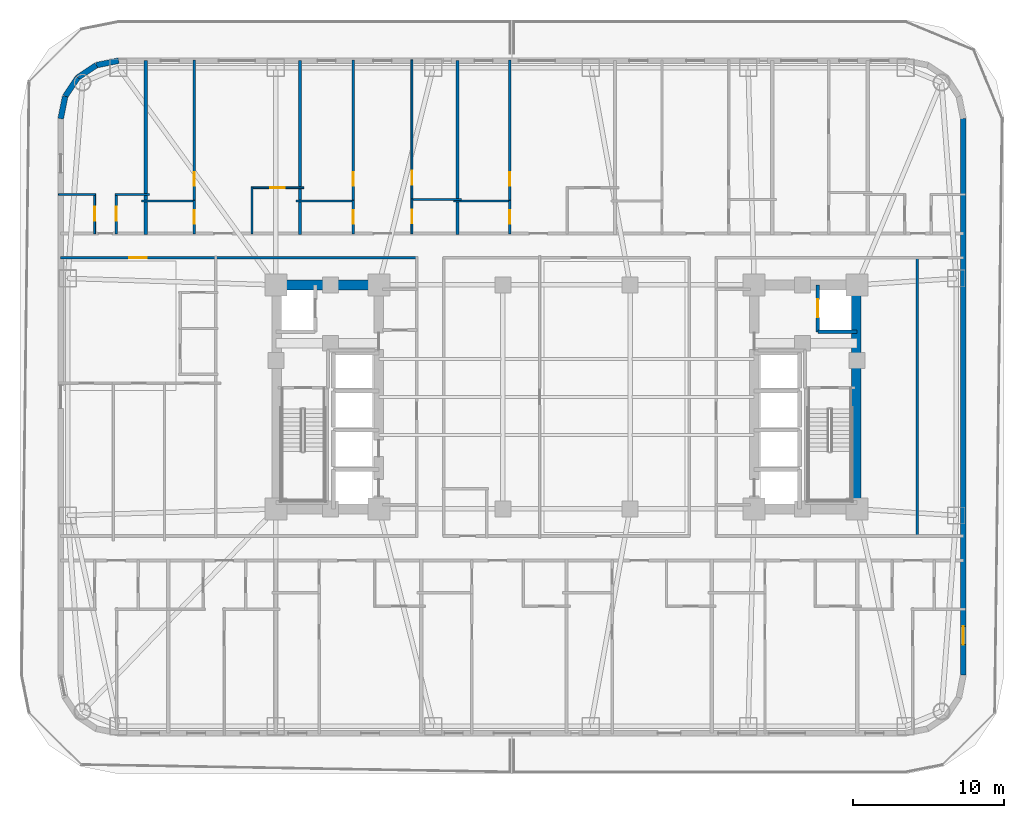
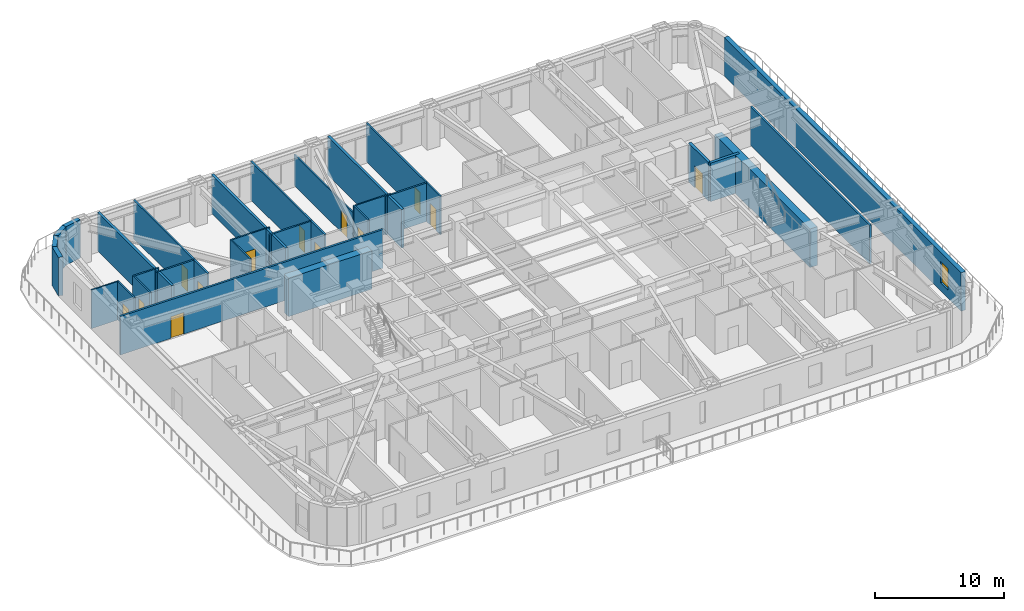
# One storey, part 7 of 14: 32 walls, 13 doors, 1 window, 14 openings.
"""IFC4 building model written with IfcOpenShell, lengths in metres."""

from ifc_helpers import new_model, si_unit, direction, frame, frame_2d, origin, place, context, subcontext, project, spatial, rectangle, extrude, material, layer, layer_set, type_object, element, fill, save


model = new_model("IFC4")

# Units and contexts
model_context = context("Model", 3, precision=1e-05, world=origin(), true_north=direction((0.0, 1.0)))
body_context = subcontext(model_context, "Body", "Model", "MODEL_VIEW")
ifc_project = project(units=[si_unit("LENGTHUNIT", "METRE"), si_unit("AREAUNIT", "SQUARE_METRE"), si_unit("VOLUMEUNIT", "CUBIC_METRE"), si_unit("PLANEANGLEUNIT", "RADIAN"), si_unit("MASSUNIT", "GRAM", prefix="KILO")], contexts=[model_context])

# Site, building, storey
site_placement = place(None, origin())
site = spatial("IfcSite", under=ifc_project, at=site_placement, CompositionType="ELEMENT")
building_placement = place(site_placement, origin())
building = spatial("IfcBuilding", under=site, at=building_placement, Name="Voryun Gate Residences", CompositionType="ELEMENT")
storey_placement = place(building_placement, frame((0.0, 0.0, 53.300048828125)))
storey = spatial("IfcBuildingStorey", under=building, at=storey_placement, Name="L12", CompositionType="ELEMENT", Elevation=53.300048828125)

# Walls
ifc_material_1 = material(Name="Concrete C60/75", Category="concrete")
ifc_layer_1 = layer(ifc_material_1, 0.64990234375, Name="CW_CORE_650")
ifc_layer_set_1 = layer_set([ifc_layer_1], Name="Concrete C60/75")
wall_type_1 = type_object("IfcWallType", Name="CW_CORE_650", PredefinedType="SHEAR", material=ifc_layer_set_1)
wall_1_placement = place(storey_placement, frame((-19.52490234375, 7.39990234375, 0.0), z_axis=(0.0, 0.0, 1.0), x_axis=(1.0, 0.0, 0.0)))
element("IfcWall", 1, at=wall_1_placement, inside=storey, type_object=wall_type_1, Name="L12 Core shear wall CW-L12-WN", PredefinedType="SHEAR", context=body_context, shape_type="SweptSolid", body=[
    extrude(rectangle(XDim=7.449951171875, YDim=0.64990234375, at=frame_2d((3.72509765625, 0.0))), origin(), (0.0, 0.0, 1.0), 3.64990234375),
])
wall_2_placement = place(storey_placement, frame((19.14501953125, -7.39990234375, 0.0), z_axis=(0.0, 0.0, 1.0), x_axis=(0.0, 1.0, 0.0)))
element("IfcWall", 2, at=wall_2_placement, inside=storey, type_object=wall_type_1, Name="L12 Core shear wall CW-L12-EE", PredefinedType="SHEAR", context=body_context, shape_type="SweptSolid", body=[
    extrude(rectangle(XDim=14.7998046875, YDim=0.64990234375, at=frame_2d((7.39990234375, 0.0))), origin(), (0.0, 0.0, 1.0), 3.64990234375),
])

# Wall, opening, door
ifc_material_2 = material(Name="Gypsum acoustic fireboard")
ifc_layer_2 = layer(ifc_material_2, 0.179931640625, Name="W_CORR_RATED_180")
ifc_layer_set_2 = layer_set([ifc_layer_2], Name="Gypsum acoustic fireboard")
wall_type_2 = type_object("IfcWallType", Name="W_CORR_RATED_180", PredefinedType="PARTITIONING", material=ifc_layer_set_2)
wall_3_placement = place(storey_placement, frame((-33.409912109375, 9.18994140625, 0.0), z_axis=(0.0, 0.0, 1.0), x_axis=(1.0, 0.0, 0.0)))
wall_3 = element("IfcWall", 3, at=wall_3_placement, inside=storey, type_object=wall_type_2, Name="Partition wall WP-L12-CWING-WN", PredefinedType="PARTITIONING", context=body_context, shape_type="SweptSolid", body=[
    extrude(rectangle(XDim=23.530029296875, YDim=0.179931640625, at=frame_2d((11.76513671875, 0.0))), origin(), (0.0, 0.0, 1.0), 3.64990234375),
])
opening_1_placement = place(wall_3_placement, frame((4.540283203125, 0.0, 0.0)))
opening_1 = element("IfcOpeningElement", 4, at=opening_1_placement, cuts=wall_3, Name="Opening D-UNIT-1", PredefinedType="OPENING", context=body_context, shape_type="SweptSolid", body=[
    extrude(rectangle(XDim=1.14990234375, YDim=2.050048828125, at=frame_2d((0.574951171875, 1.02490234375))), frame((0.0, 0.099853515625, 0.0), z_axis=(0.0, -1.0, 0.0), x_axis=(1.0, 0.0, 0.0)), (0.0, 0.0, 1.0), 0.199951171875),
])
ifc_material_3 = material(Name="Armoured timber-clad fire door", Category="wood")
door_type_1 = type_object("IfcDoorType", Name="DR_UNIT_ENTRY_1150", OperationType="NOTDEFINED", PredefinedType="DOOR", material=ifc_material_3)
door_1_placement = place(opening_1_placement, origin())
door_1 = element("IfcDoor", 5, at=door_1_placement, inside=storey, type_object=door_type_1, Name="Door DR-L12-WE1N", OperationType="SINGLE_SWING_LEFT", OverallHeight=2.050048828125, OverallWidth=1.14990234375, PredefinedType="DOOR", context=body_context, shape_type="SweptSolid", body=[
    extrude(rectangle(XDim=1.14990234375, YDim=2.050048828125, at=frame_2d((0.574951171875, 1.02490234375))), frame((0.0, 0.02490234375, 0.0), z_axis=(0.0, -1.0, 0.0), x_axis=(1.0, 0.0, 0.0)), (0.0, 0.0, 1.0), 0.050048828125),
])
fill(opening_1, door_1)

# Walls
wall_4_placement = place(storey_placement, frame((23.169921875, -9.280029296875, 0.0), z_axis=(0.0, 0.0, 1.0), x_axis=(0.0, 1.0, 0.0)))
element("IfcWall", 6, at=wall_4_placement, inside=storey, type_object=wall_type_2, Name="Partition wall WP-L12-EEND", PredefinedType="PARTITIONING", context=body_context, shape_type="SweptSolid", body=[
    extrude(rectangle(XDim=18.56005859375, YDim=0.179931640625, at=frame_2d((9.280029296875, 0.0))), origin(), (0.0, 0.0, 1.0), 3.64990234375),
])
ifc_material_4 = material(Name="Granite masonry", Category="masonry")
ifc_layer_3 = layer(ifc_material_4, 0.3798828125, Name="W_EXT_GRANITE_380")
ifc_layer_set_3 = layer_set([ifc_layer_3], Name="Granite masonry")
wall_type_3 = type_object("IfcWallType", Name="W_EXT_GRANITE_380", PredefinedType="ELEMENTEDWALL", material=ifc_layer_set_3)
wall_5_placement = place(storey_placement, frame((-33.409912109375, 18.38134765625, 0.0), z_axis=(0.0, 0.0, 1.0), x_axis=(0.195086038585, 0.980786132421, 0.0)))
element("IfcWall", 7, at=wall_5_placement, inside=storey, type_object=wall_type_3, Name="Exterior wall WEXT-L12-07", PredefinedType="ELEMENTEDWALL", context=body_context, shape_type="SweptSolid", body=[
    extrude(rectangle(XDim=1.504150390625, YDim=0.3798828125, at=frame_2d((0.751953125, 0.0))), origin(), (0.0, 0.0, 1.0), 3.64990234375),
])
wall_6_placement = place(storey_placement, frame((-33.116455078125, 19.856689453125, 0.0), z_axis=(0.0, 0.0, 1.0), x_axis=(0.555572577804, 0.831468045563, 0.0)))
element("IfcWall", 8, at=wall_6_placement, inside=storey, type_object=wall_type_3, Name="Exterior wall WEXT-L12-08", PredefinedType="ELEMENTEDWALL", context=body_context, shape_type="SweptSolid", body=[
    extrude(rectangle(XDim=1.48486328125, YDim=0.3798828125, at=frame_2d((0.742431640625, 0.0))), origin(), (0.0, 0.0, 1.0), 3.64990234375),
])
wall_7_placement = place(storey_placement, frame((-32.29150390625, 21.09130859375, 0.0), z_axis=(0.0, 0.0, 1.0), x_axis=(0.831442848281, 0.555610286119, 0.0)))
element("IfcWall", 9, at=wall_7_placement, inside=storey, type_object=wall_type_3, Name="Exterior wall WEXT-L12-09", PredefinedType="ELEMENTEDWALL", context=body_context, shape_type="SweptSolid", body=[
    extrude(rectangle(XDim=1.485107421875, YDim=0.3798828125, at=frame_2d((0.74267578125, 0.0))), origin(), (0.0, 0.0, 1.0), 3.64990234375),
])
wall_8_placement = place(storey_placement, frame((-31.056640625, 21.91650390625, 0.0), z_axis=(0.0, 0.0, 1.0), x_axis=(0.980786132421, 0.195086038585, 0.0)))
element("IfcWall", 10, at=wall_8_placement, inside=storey, type_object=wall_type_3, Name="Exterior wall WEXT-L12-10", PredefinedType="ELEMENTEDWALL", context=body_context, shape_type="SweptSolid", body=[
    extrude(rectangle(XDim=1.504150390625, YDim=0.3798828125, at=frame_2d((0.751953125, 0.0))), origin(), (0.0, 0.0, 1.0), 3.64990234375),
])

# Wall, opening, window
wall_9_placement = place(storey_placement, frame((26.2099609375, 18.38134765625, 0.0), z_axis=(0.0, 0.0, 1.0), x_axis=(0.0, -1.0, 0.0)))
wall_9 = element("IfcWall", 11, at=wall_9_placement, inside=storey, type_object=wall_type_3, Name="Exterior wall WEXT-L12-16", PredefinedType="ELEMENTEDWALL", context=body_context, shape_type="SweptSolid", body=[
    extrude(rectangle(XDim=36.7626953125, YDim=0.3798828125, at=frame_2d((18.38134765625, 0.0))), origin(), (0.0, 0.0, 1.0), 3.64990234375),
])
opening_2_placement = place(wall_9_placement, frame((33.536865234375, 0.0, 0.75)))
opening_2 = element("IfcOpeningElement", 12, at=opening_2_placement, cuts=wall_9, Name="Opening WN6", PredefinedType="OPENING", context=body_context, shape_type="SweptSolid", body=[
    extrude(rectangle(XDim=1.199951171875, YDim=2.050048828125, at=frame_2d((0.60009765625, 1.02490234375))), frame((0.0, 0.199951171875, 0.0), z_axis=(0.0, -1.0, 0.0), x_axis=(1.0, 0.0, 0.0)), (0.0, 0.0, 1.0), 0.39990234375),
])
ifc_material_5 = material(Name="Laminated low-E glass", Category="glass")
window_type = type_object("IfcWindowType", Name="WN_POD_SLOT_1200", PartitioningType="SINGLE_PANEL", PredefinedType="WINDOW", material=ifc_material_5)
window_placement = place(opening_2_placement, origin())
window = element("IfcWindow", 13, at=window_placement, inside=storey, type_object=window_type, Name="Window WN-L12-DWFIX-22", OverallHeight=2.050048828125, OverallWidth=1.199951171875, PartitioningType="SINGLE_PANEL", PredefinedType="WINDOW", context=body_context, shape_type="SweptSolid", body=[
    extrude(rectangle(XDim=1.199951171875, YDim=2.050048828125, at=frame_2d((0.60009765625, 1.02490234375))), frame((0.0, 0.030029296875, 0.0), z_axis=(0.0, -1.0, 0.0), x_axis=(1.0, 0.0, 0.0)), (0.0, 0.0, 1.0), 0.06005859375),
])
fill(opening_2, window)

# Walls
ifc_material_6 = material(Name="Concrete C40/50", Category="concrete")
ifc_layer_4 = layer(ifc_material_6, 0.219970703125, Name="W_PARTY_ACOUSTIC_220")
ifc_layer_set_4 = layer_set([ifc_layer_4], Name="Concrete C40/50")
wall_type_4 = type_object("IfcWallType", Name="W_PARTY_ACOUSTIC_220", PredefinedType="PARTITIONING", material=ifc_layer_set_4)
for number, where, z_axis, x_axis, name in (
    (14, (-27.800048828125, 10.719970703125, 0.0), (0.0, 0.0, 1.0), (0.0, 1.0, 0.0), "Partition wall WP-L12-NPTY-1"),
    (15, (-17.60009765625, 10.719970703125, 0.0), (0.0, 0.0, 1.0), (0.0, 1.0, 0.0), "Partition wall WP-L12-NPTY-2"),
    (16, (-7.199951171875, 10.719970703125, 0.0), (0.0, 0.0, 1.0), (0.0, 1.0, 0.0), "Partition wall WP-L12-NPTY-3"),
):
    element("IfcWall", number, at=place(storey_placement, frame(where, z_axis=z_axis, x_axis=x_axis)), inside=storey, type_object=wall_type_4, Name=name, PredefinedType="PARTITIONING", context=body_context, shape_type="SweptSolid", body=[
        extrude(rectangle(XDim=11.489990234375, YDim=0.219970703125, at=frame_2d((5.7451171875, 0.0))), origin(), (0.0, 0.0, 1.0), 3.64990234375),
    ])
ifc_material_7 = material(Name="Concrete C50/60", Category="concrete")
ifc_layer_5 = layer(ifc_material_7, 0.25, Name="W_SHAFT_RC250")
ifc_layer_set_5 = layer_set([ifc_layer_5], Name="Concrete C50/60")
wall_type_5 = type_object("IfcWallType", Name="W_SHAFT_RC250", PredefinedType="SOLIDWALL", material=ifc_layer_set_5)
wall_10_placement = place(storey_placement, frame((16.60009765625, 4.300048828125, 0.0), z_axis=(0.0, 0.0, 1.0), x_axis=(1.0, 0.0, 0.0)))
element("IfcWall", 17, at=wall_10_placement, inside=storey, type_object=wall_type_5, Name="Lift shaft wall WSH-L12-EL-FF-E1-S", PredefinedType="SOLIDWALL", context=body_context, shape_type="SweptSolid", body=[
    extrude(rectangle(XDim=2.599853515625, YDim=0.25, at=frame_2d((1.2998046875, 0.0))), origin(), (0.0, 0.0, 1.0), 3.64990234375),
])

# Wall, opening, door
wall_11_placement = place(storey_placement, frame((16.60009765625, 7.39990234375, 0.0), z_axis=(0.0, 0.0, 1.0), x_axis=(0.0, -1.0, 0.0)))
wall_11 = element("IfcWall", 18, at=wall_11_placement, inside=storey, type_object=wall_type_5, Name="Lift shaft wall WSH-L12-EL-FF-E1-W", PredefinedType="SOLIDWALL", context=body_context, shape_type="SweptSolid", body=[
    extrude(rectangle(XDim=3.099853515625, YDim=0.25, at=frame_2d((1.5498046875, 0.0))), origin(), (0.0, 0.0, 1.0), 3.64990234375),
])
opening_3_placement = place(wall_11_placement, frame((0.949951171875, 0.0, 0.0)))
opening_3 = element("IfcOpeningElement", 19, at=opening_3_placement, cuts=wall_11, Name="Opening LD1", PredefinedType="OPENING", context=body_context, shape_type="SweptSolid", body=[
    extrude(rectangle(XDim=1.199951171875, YDim=2.050048828125, at=frame_2d((0.60009765625, 1.02490234375))), frame((0.0, 0.135009765625, 0.0), z_axis=(0.0, -1.0, 0.0), x_axis=(1.0, 0.0, 0.0)), (0.0, 0.0, 1.0), 0.27001953125),
])
ifc_material_8 = material(Name="Anodised aluminium", Category="aluminium")
door_type_2 = type_object("IfcDoorType", Name="DR_LD_FF_1200", OperationType="NOTDEFINED", PredefinedType="DOOR", material=ifc_material_8)
door_2_placement = place(opening_3_placement, origin())
door_2 = element("IfcDoor", 20, at=door_2_placement, inside=storey, type_object=door_type_2, Name="Lift EL-FF-E1 sliding landing door L12", OperationType="SLIDING_TO_LEFT", OverallHeight=2.050048828125, OverallWidth=1.199951171875, PredefinedType="DOOR", context=body_context, shape_type="SweptSolid", body=[
    extrude(rectangle(XDim=1.199951171875, YDim=2.050048828125, at=frame_2d((0.60009765625, 1.02490234375))), frame((0.0, 0.02490234375, 0.0), z_axis=(0.0, -1.0, 0.0), x_axis=(1.0, 0.0, 0.0)), (0.0, 0.0, 1.0), 0.050048828125),
])
fill(opening_3, door_2)

ifc_material_9 = material(Name="Gypsum acoustic partition")
ifc_layer_6 = layer(ifc_material_9, 0.125, Name="W_UNIT_PART_125")
ifc_layer_set_6 = layer_set([ifc_layer_6], Name="Gypsum acoustic partition")
wall_type_6 = type_object("IfcWallType", Name="W_UNIT_PART_125", PredefinedType="PARTITIONING", material=ifc_layer_set_6)
wall_12_placement = place(storey_placement, frame((-31.16796875, 10.780029296875, 0.0), z_axis=(0.0, 0.0, 1.0), x_axis=(0.0, 1.0, 0.0)))
wall_12 = element("IfcWall", 21, at=wall_12_placement, inside=storey, type_object=wall_type_6, Name="Partition wall WP-L12-N1-CVK", PredefinedType="PARTITIONING", context=body_context, shape_type="SweptSolid", body=[
    extrude(rectangle(XDim=2.64990234375, YDim=0.125, at=frame_2d((1.324951171875, 0.0))), origin(), (0.0, 0.0, 1.0), 3.64990234375),
])
opening_4_placement = place(wall_12_placement, frame((0.875, 0.0, 0.0)))
opening_4 = element("IfcOpeningElement", 22, at=opening_4_placement, cuts=wall_12, Name="Opening D-INT-2", PredefinedType="OPENING", context=body_context, shape_type="SweptSolid", body=[
    extrude(rectangle(XDim=0.89990234375, YDim=2.050048828125, at=frame_2d((0.449951171875, 1.02490234375))), frame((0.0, 0.072509765625, 0.0), z_axis=(0.0, -1.0, 0.0), x_axis=(1.0, 0.0, 0.0)), (0.0, 0.0, 1.0), 0.14501953125),
])
ifc_material_10 = material(Name="Architectural oak veneer")
door_type_3 = type_object("IfcDoorType", Name="DR_INT_BATH_900", OperationType="NOTDEFINED", PredefinedType="DOOR", material=ifc_material_10)
door_3_placement = place(opening_4_placement, origin())
door_3 = element("IfcDoor", 23, at=door_3_placement, inside=storey, type_object=door_type_3, Name="Door DR-L12-N1-DK", OperationType="SINGLE_SWING_LEFT", OverallHeight=2.050048828125, OverallWidth=0.89990234375, PredefinedType="DOOR", context=body_context, shape_type="SweptSolid", body=[
    extrude(rectangle(XDim=0.89990234375, YDim=2.050048828125, at=frame_2d((0.449951171875, 1.02490234375))), frame((0.0, 0.02490234375, 0.0), z_axis=(0.0, -1.0, 0.0), x_axis=(1.0, 0.0, 0.0)), (0.0, 0.0, 1.0), 0.050048828125),
])
fill(opening_4, door_3)

# Wall
wall_13_placement = place(storey_placement, frame((-33.56005859375, 13.3701171875, 0.0), z_axis=(0.0, 0.0, 1.0), x_axis=(1.0, 0.0, 0.0)))
element("IfcWall", 24, at=wall_13_placement, inside=storey, type_object=wall_type_6, Name="Partition wall WP-L12-N1-CHK", PredefinedType="PARTITIONING", context=body_context, shape_type="SweptSolid", body=[
    extrude(rectangle(XDim=2.4521484375, YDim=0.125, at=frame_2d((1.22607421875, 0.0))), origin(), (0.0, 0.0, 1.0), 3.64990234375),
])

# Wall, opening, door
wall_14_placement = place(storey_placement, frame((-20.8359375, 13.820068359375, 0.0), z_axis=(0.0, 0.0, 1.0), x_axis=(1.0, 0.0, 0.0)))
wall_14 = element("IfcWall", 25, at=wall_14_placement, inside=storey, type_object=wall_type_6, Name="Partition wall WP-L12-N2-KHY", PredefinedType="PARTITIONING", context=body_context, shape_type="SweptSolid", body=[
    extrude(rectangle(XDim=3.495849609375, YDim=0.125, at=frame_2d((1.748046875, 0.0))), origin(), (0.0, 0.0, 1.0), 3.64990234375),
])
opening_5_placement = place(wall_14_placement, frame((1.27294921875, 0.0, 0.0)))
opening_5 = element("IfcOpeningElement", 26, at=opening_5_placement, cuts=wall_14, Name="Opening D-INT-1", PredefinedType="OPENING", context=body_context, shape_type="SweptSolid", body=[
    extrude(rectangle(XDim=0.949951171875, YDim=2.050048828125, at=frame_2d((0.47509765625, 1.02490234375))), frame((0.0, 0.072509765625, 0.0), z_axis=(0.0, -1.0, 0.0), x_axis=(1.0, 0.0, 0.0)), (0.0, 0.0, 1.0), 0.14501953125),
])
ifc_material_11 = material(Name="Architectural oak veneer")
door_type_4 = type_object("IfcDoorType", Name="DR_INT_ROOM_950", OperationType="NOTDEFINED", PredefinedType="DOOR", material=ifc_material_11)
door_4_placement = place(opening_5_placement, origin())
door_4 = element("IfcDoor", 27, at=door_4_placement, inside=storey, type_object=door_type_4, Name="Door DR-L12-N2-DK", OperationType="SINGLE_SWING_LEFT", OverallHeight=2.050048828125, OverallWidth=0.949951171875, PredefinedType="DOOR", context=body_context, shape_type="SweptSolid", body=[
    extrude(rectangle(XDim=0.949951171875, YDim=2.050048828125, at=frame_2d((0.47509765625, 1.02490234375))), frame((0.0, 0.02490234375, 0.0), z_axis=(0.0, -1.0, 0.0), x_axis=(1.0, 0.0, 0.0)), (0.0, 0.0, 1.0), 0.050048828125),
])
fill(opening_5, door_4)

# Walls
wall_15_placement = place(storey_placement, frame((-20.77587890625, 10.780029296875, 0.0), z_axis=(0.0, 0.0, 1.0), x_axis=(0.0, 1.0, 0.0)))
element("IfcWall", 28, at=wall_15_placement, inside=storey, type_object=wall_type_6, Name="Partition wall WP-L12-N2-KVX", PredefinedType="PARTITIONING", context=body_context, shape_type="SweptSolid", body=[
    extrude(rectangle(XDim=3.099853515625, YDim=0.125, at=frame_2d((1.5498046875, 0.0))), origin(), (0.0, 0.0, 1.0), 3.64990234375),
])
wall_16_placement = place(storey_placement, frame((-10.2900390625, 13.0400390625, 0.0), z_axis=(0.0, 0.0, 1.0), x_axis=(1.0, 0.0, 0.0)))
element("IfcWall", 29, at=wall_16_placement, inside=storey, type_object=wall_type_6, Name="Partition wall WP-L12-N3-RHY", PredefinedType="PARTITIONING", context=body_context, shape_type="SweptSolid", body=[
    extrude(rectangle(XDim=3.35009765625, YDim=0.125, at=frame_2d((1.675048828125, 0.0))), origin(), (0.0, 0.0, 1.0), 3.64990234375),
])

# Wall, opening, door
wall_17_placement = place(storey_placement, frame((-10.2099609375, 10.780029296875, 0.0), z_axis=(0.0, 0.0, 1.0), x_axis=(0.0, 1.0, 0.0)))
wall_17 = element("IfcWall", 30, at=wall_17_placement, inside=storey, type_object=wall_type_6, Name="Partition wall WP-L12-N3-RVX1", PredefinedType="PARTITIONING", context=body_context, shape_type="SweptSolid", body=[
    extrude(rectangle(XDim=2.300048828125, YDim=0.125, at=frame_2d((1.14990234375, 0.0))), origin(), (0.0, 0.0, 1.0), 3.64990234375),
])
opening_6_placement = place(wall_17_placement, frame((0.699951171875, 0.0, 0.0)))
opening_6 = element("IfcOpeningElement", 31, at=opening_6_placement, cuts=wall_17, Name="Opening D-INT-2", PredefinedType="OPENING", context=body_context, shape_type="SweptSolid", body=[
    extrude(rectangle(XDim=0.89990234375, YDim=2.050048828125, at=frame_2d((0.449951171875, 1.02490234375))), frame((0.0, 0.072509765625, 0.0), z_axis=(0.0, -1.0, 0.0), x_axis=(1.0, 0.0, 0.0)), (0.0, 0.0, 1.0), 0.14501953125),
])
door_5_placement = place(opening_6_placement, origin())
door_5 = element("IfcDoor", 32, at=door_5_placement, inside=storey, type_object=door_type_3, Name="Door DR-L12-N3-DK", OperationType="SINGLE_SWING_RIGHT", OverallHeight=2.050048828125, OverallWidth=0.89990234375, PredefinedType="DOOR", context=body_context, shape_type="SweptSolid", body=[
    extrude(rectangle(XDim=0.89990234375, YDim=2.050048828125, at=frame_2d((0.449951171875, 1.02490234375))), frame((0.0, 0.02490234375, 0.0), z_axis=(0.0, -1.0, 0.0), x_axis=(1.0, 0.0, 0.0)), (0.0, 0.0, 1.0), 0.050048828125),
])
fill(opening_6, door_5)

wall_18_placement = place(storey_placement, frame((-10.2099609375, 13.0, 0.0), z_axis=(0.0, 0.0, 1.0), x_axis=(0.0, 1.0, 0.0)))
wall_18 = element("IfcWall", 33, at=wall_18_placement, inside=storey, type_object=wall_type_6, Name="Partition wall WP-L12-N3-RVX2", PredefinedType="PARTITIONING", context=body_context, shape_type="SweptSolid", body=[
    extrude(rectangle(XDim=9.257568359375, YDim=0.125, at=frame_2d((4.62890625, 0.0))), origin(), (0.0, 0.0, 1.0), 2.93994140625),
])
opening_7_placement = place(wall_18_placement, frame((1.03125, 0.0, 0.0)))
opening_7 = element("IfcOpeningElement", 34, at=opening_7_placement, cuts=wall_18, Name="Opening D-INT-2", PredefinedType="OPENING", context=body_context, shape_type="SweptSolid", body=[
    extrude(rectangle(XDim=0.89990234375, YDim=2.050048828125, at=frame_2d((0.449951171875, 1.02490234375))), frame((0.0, 0.072509765625, 0.0), z_axis=(0.0, -1.0, 0.0), x_axis=(1.0, 0.0, 0.0)), (0.0, 0.0, 1.0), 0.14501953125),
])
door_6_placement = place(opening_7_placement, origin())
door_6 = element("IfcDoor", 35, at=door_6_placement, inside=storey, type_object=door_type_3, Name="Door DR-L12-N3-DB2", OperationType="SINGLE_SWING_LEFT", OverallHeight=2.050048828125, OverallWidth=0.89990234375, PredefinedType="DOOR", context=body_context, shape_type="SweptSolid", body=[
    extrude(rectangle(XDim=0.89990234375, YDim=2.050048828125, at=frame_2d((0.449951171875, 1.02490234375))), frame((0.0, 0.02490234375, 0.0), z_axis=(0.0, -1.0, 0.0), x_axis=(1.0, 0.0, 0.0)), (0.0, 0.0, 1.0), 0.050048828125),
])
fill(opening_7, door_6)

ifc_material_12 = material(Name="Gypsum moisture-resistant partition")
ifc_layer_7 = layer(ifc_material_12, 0.14990234375, Name="W_WET_PLUMB_150")
ifc_layer_set_7 = layer_set([ifc_layer_7], Name="Gypsum moisture-resistant partition")
wall_type_7 = type_object("IfcWallType", Name="W_WET_PLUMB_150", PredefinedType="PLUMBINGWALL", material=ifc_layer_set_7)
wall_19_placement = place(storey_placement, frame((-29.75, 10.780029296875, 0.0), z_axis=(0.0, 0.0, 1.0), x_axis=(0.0, 1.0, 0.0)))
wall_19 = element("IfcWall", 36, at=wall_19_placement, inside=storey, type_object=wall_type_7, Name="Partition wall WP-L12-N1-CVB", PredefinedType="PLUMBINGWALL", context=body_context, shape_type="SweptSolid", body=[
    extrude(rectangle(XDim=2.64990234375, YDim=0.14990234375, at=frame_2d((1.324951171875, 0.0))), origin(), (0.0, 0.0, 1.0), 3.64990234375),
])
opening_8_placement = place(wall_19_placement, frame((0.875, 0.0, 0.0)))
opening_8 = element("IfcOpeningElement", 37, at=opening_8_placement, cuts=wall_19, Name="Opening D-INT-2", PredefinedType="OPENING", context=body_context, shape_type="SweptSolid", body=[
    extrude(rectangle(XDim=0.89990234375, YDim=2.050048828125, at=frame_2d((0.449951171875, 1.02490234375))), frame((0.0, 0.0849609375, 0.0), z_axis=(0.0, -1.0, 0.0), x_axis=(1.0, 0.0, 0.0)), (0.0, 0.0, 1.0), 0.169921875),
])
door_7_placement = place(opening_8_placement, origin())
door_7 = element("IfcDoor", 38, at=door_7_placement, inside=storey, type_object=door_type_3, Name="Door DR-L12-N1-DB", OperationType="SINGLE_SWING_RIGHT", OverallHeight=2.050048828125, OverallWidth=0.89990234375, PredefinedType="DOOR", context=body_context, shape_type="SweptSolid", body=[
    extrude(rectangle(XDim=0.89990234375, YDim=2.050048828125, at=frame_2d((0.449951171875, 1.02490234375))), frame((0.0, 0.02490234375, 0.0), z_axis=(0.0, -1.0, 0.0), x_axis=(1.0, 0.0, 0.0)), (0.0, 0.0, 1.0), 0.050048828125),
])
fill(opening_8, door_7)

# Walls
wall_20_placement = place(storey_placement, frame((-29.81005859375, 13.3701171875, 0.0), z_axis=(0.0, 0.0, 1.0), x_axis=(1.0, 0.0, 0.0)))
element("IfcWall", 39, at=wall_20_placement, inside=storey, type_object=wall_type_7, Name="Partition wall WP-L12-N1-CHB", PredefinedType="PLUMBINGWALL", context=body_context, shape_type="SweptSolid", body=[
    extrude(rectangle(XDim=2.27001953125, YDim=0.14990234375, at=frame_2d((1.135009765625, 0.0))), origin(), (0.0, 0.0, 1.0), 3.64990234375),
])
wall_21_placement = place(storey_placement, frame((-28.06005859375, 12.93994140625, 0.0), z_axis=(0.0, 0.0, 1.0), x_axis=(1.0, 0.0, 0.0)))
element("IfcWall", 40, at=wall_21_placement, inside=storey, type_object=wall_type_7, Name="Partition wall WP-L12-N2-LHY", PredefinedType="PLUMBINGWALL", context=body_context, shape_type="SweptSolid", body=[
    extrude(rectangle(XDim=3.55517578125, YDim=0.14990234375, at=frame_2d((1.777587890625, 0.0))), origin(), (0.0, 0.0, 1.0), 3.64990234375),
])

# Wall, opening, door
wall_22_placement = place(storey_placement, frame((-24.5849609375, 10.780029296875, 0.0), z_axis=(0.0, 0.0, 1.0), x_axis=(0.0, 1.0, 0.0)))
wall_22 = element("IfcWall", 41, at=wall_22_placement, inside=storey, type_object=wall_type_7, Name="Partition wall WP-L12-N2-LVX1", PredefinedType="PLUMBINGWALL", context=body_context, shape_type="SweptSolid", body=[
    extrude(rectangle(XDim=2.199951171875, YDim=0.14990234375, at=frame_2d((1.10009765625, 0.0))), origin(), (0.0, 0.0, 1.0), 3.64990234375),
])
opening_9_placement = place(wall_22_placement, frame((0.64990234375, 0.0, 0.0)))
opening_9 = element("IfcOpeningElement", 42, at=opening_9_placement, cuts=wall_22, Name="Opening D-INT-2", PredefinedType="OPENING", context=body_context, shape_type="SweptSolid", body=[
    extrude(rectangle(XDim=0.89990234375, YDim=2.050048828125, at=frame_2d((0.449951171875, 1.02490234375))), frame((0.0, 0.0849609375, 0.0), z_axis=(0.0, -1.0, 0.0), x_axis=(1.0, 0.0, 0.0)), (0.0, 0.0, 1.0), 0.169921875),
])
door_8_placement = place(opening_9_placement, origin())
door_8 = element("IfcDoor", 43, at=door_8_placement, inside=storey, type_object=door_type_3, Name="Door DR-L12-N2-DB", OperationType="SINGLE_SWING_LEFT", OverallHeight=2.050048828125, OverallWidth=0.89990234375, PredefinedType="DOOR", context=body_context, shape_type="SweptSolid", body=[
    extrude(rectangle(XDim=0.89990234375, YDim=2.050048828125, at=frame_2d((0.449951171875, 1.02490234375))), frame((0.0, 0.02490234375, 0.0), z_axis=(0.0, -1.0, 0.0), x_axis=(1.0, 0.0, 0.0)), (0.0, 0.0, 1.0), 0.050048828125),
])
fill(opening_9, door_8)

wall_23_placement = place(storey_placement, frame((-24.5849609375, 12.89990234375, 0.0), z_axis=(0.0, 0.0, 1.0), x_axis=(0.0, 1.0, 0.0)))
wall_23 = element("IfcWall", 44, at=wall_23_placement, inside=storey, type_object=wall_type_7, Name="Partition wall WP-L12-N2-LVX2", PredefinedType="PLUMBINGWALL", context=body_context, shape_type="SweptSolid", body=[
    extrude(rectangle(XDim=9.357666015625, YDim=0.14990234375, at=frame_2d((4.6787109375, 0.0))), origin(), (0.0, 0.0, 1.0), 3.64990234375),
])
opening_10_placement = place(wall_23_placement, frame((1.047119140625, 0.0, 0.0)))
opening_10 = element("IfcOpeningElement", 45, at=opening_10_placement, cuts=wall_23, Name="Opening D-INT-2", PredefinedType="OPENING", context=body_context, shape_type="SweptSolid", body=[
    extrude(rectangle(XDim=0.89990234375, YDim=2.050048828125, at=frame_2d((0.449951171875, 1.02490234375))), frame((0.0, 0.0849609375, 0.0), z_axis=(0.0, -1.0, 0.0), x_axis=(1.0, 0.0, 0.0)), (0.0, 0.0, 1.0), 0.169921875),
])
door_9_placement = place(opening_10_placement, origin())
door_9 = element("IfcDoor", 46, at=door_9_placement, inside=storey, type_object=door_type_3, Name="Door DR-L12-N2-DMB", OperationType="SINGLE_SWING_RIGHT", OverallHeight=2.050048828125, OverallWidth=0.89990234375, PredefinedType="DOOR", context=body_context, shape_type="SweptSolid", body=[
    extrude(rectangle(XDim=0.89990234375, YDim=2.050048828125, at=frame_2d((0.449951171875, 1.02490234375))), frame((0.0, 0.02490234375, 0.0), z_axis=(0.0, -1.0, 0.0), x_axis=(1.0, 0.0, 0.0)), (0.0, 0.0, 1.0), 0.050048828125),
])
fill(opening_10, door_9)

# Wall
wall_24_placement = place(storey_placement, frame((-17.860107421875, 12.93994140625, 0.0), z_axis=(0.0, 0.0, 1.0), x_axis=(1.0, 0.0, 0.0)))
element("IfcWall", 47, at=wall_24_placement, inside=storey, type_object=wall_type_7, Name="Partition wall WP-L12-N3-LHY", PredefinedType="PLUMBINGWALL", context=body_context, shape_type="SweptSolid", body=[
    extrude(rectangle(XDim=3.85009765625, YDim=0.14990234375, at=frame_2d((1.925048828125, 0.0))), origin(), (0.0, 0.0, 1.0), 3.64990234375),
])

# Wall, opening, door
wall_25_placement = place(storey_placement, frame((-14.090087890625, 10.780029296875, 0.0), z_axis=(0.0, 0.0, 1.0), x_axis=(0.0, 1.0, 0.0)))
wall_25 = element("IfcWall", 48, at=wall_25_placement, inside=storey, type_object=wall_type_7, Name="Partition wall WP-L12-N3-LVX1", PredefinedType="PLUMBINGWALL", context=body_context, shape_type="SweptSolid", body=[
    extrude(rectangle(XDim=2.199951171875, YDim=0.14990234375, at=frame_2d((1.10009765625, 0.0))), origin(), (0.0, 0.0, 1.0), 3.64990234375),
])
opening_11_placement = place(wall_25_placement, frame((0.64990234375, 0.0, 0.0)))
opening_11 = element("IfcOpeningElement", 49, at=opening_11_placement, cuts=wall_25, Name="Opening D-INT-2", PredefinedType="OPENING", context=body_context, shape_type="SweptSolid", body=[
    extrude(rectangle(XDim=0.89990234375, YDim=2.050048828125, at=frame_2d((0.449951171875, 1.02490234375))), frame((0.0, 0.0849609375, 0.0), z_axis=(0.0, -1.0, 0.0), x_axis=(1.0, 0.0, 0.0)), (0.0, 0.0, 1.0), 0.169921875),
])
door_10_placement = place(opening_11_placement, origin())
door_10 = element("IfcDoor", 50, at=door_10_placement, inside=storey, type_object=door_type_3, Name="Door DR-L12-N3-DB", OperationType="SINGLE_SWING_LEFT", OverallHeight=2.050048828125, OverallWidth=0.89990234375, PredefinedType="DOOR", context=body_context, shape_type="SweptSolid", body=[
    extrude(rectangle(XDim=0.89990234375, YDim=2.050048828125, at=frame_2d((0.449951171875, 1.02490234375))), frame((0.0, 0.02490234375, 0.0), z_axis=(0.0, -1.0, 0.0), x_axis=(1.0, 0.0, 0.0)), (0.0, 0.0, 1.0), 0.050048828125),
])
fill(opening_11, door_10)

wall_26_placement = place(storey_placement, frame((-14.090087890625, 12.89990234375, 0.0), z_axis=(0.0, 0.0, 1.0), x_axis=(0.0, 1.0, 0.0)))
wall_26 = element("IfcWall", 51, at=wall_26_placement, inside=storey, type_object=wall_type_7, Name="Partition wall WP-L12-N3-LVX2", PredefinedType="PLUMBINGWALL", context=body_context, shape_type="SweptSolid", body=[
    extrude(rectangle(XDim=9.357666015625, YDim=0.14990234375, at=frame_2d((4.6787109375, 0.0))), origin(), (0.0, 0.0, 1.0), 3.64990234375),
])
opening_12_placement = place(wall_26_placement, frame((1.047119140625, 0.0, 0.0)))
opening_12 = element("IfcOpeningElement", 52, at=opening_12_placement, cuts=wall_26, Name="Opening D-INT-2", PredefinedType="OPENING", context=body_context, shape_type="SweptSolid", body=[
    extrude(rectangle(XDim=0.89990234375, YDim=2.050048828125, at=frame_2d((0.449951171875, 1.02490234375))), frame((0.0, 0.0849609375, 0.0), z_axis=(0.0, -1.0, 0.0), x_axis=(1.0, 0.0, 0.0)), (0.0, 0.0, 1.0), 0.169921875),
])
door_11_placement = place(opening_12_placement, origin())
door_11 = element("IfcDoor", 53, at=door_11_placement, inside=storey, type_object=door_type_3, Name="Door DR-L12-N3-DMB", OperationType="SINGLE_SWING_RIGHT", OverallHeight=2.050048828125, OverallWidth=0.89990234375, PredefinedType="DOOR", context=body_context, shape_type="SweptSolid", body=[
    extrude(rectangle(XDim=0.89990234375, YDim=2.050048828125, at=frame_2d((0.449951171875, 1.02490234375))), frame((0.0, 0.02490234375, 0.0), z_axis=(0.0, -1.0, 0.0), x_axis=(1.0, 0.0, 0.0)), (0.0, 0.0, 1.0), 0.050048828125),
])
fill(opening_12, door_11)

# Wall
wall_27_placement = place(storey_placement, frame((-7.4599609375, 12.93994140625, 0.0), z_axis=(0.0, 0.0, 1.0), x_axis=(1.0, 0.0, 0.0)))
element("IfcWall", 54, at=wall_27_placement, inside=storey, type_object=wall_type_7, Name="Partition wall WP-L12-N4-LHY", PredefinedType="PLUMBINGWALL", context=body_context, shape_type="SweptSolid", body=[
    extrude(rectangle(XDim=3.7919921875, YDim=0.14990234375, at=frame_2d((1.89599609375, 0.0))), origin(), (0.0, 0.0, 1.0), 3.64990234375),
])

# Wall, opening, door
wall_28_placement = place(storey_placement, frame((-3.748046875, 10.780029296875, 0.0), z_axis=(0.0, 0.0, 1.0), x_axis=(0.0, 1.0, 0.0)))
wall_28 = element("IfcWall", 55, at=wall_28_placement, inside=storey, type_object=wall_type_7, Name="Partition wall WP-L12-N4-LVX1", PredefinedType="PLUMBINGWALL", context=body_context, shape_type="SweptSolid", body=[
    extrude(rectangle(XDim=2.199951171875, YDim=0.14990234375, at=frame_2d((1.10009765625, 0.0))), origin(), (0.0, 0.0, 1.0), 3.64990234375),
])
opening_13_placement = place(wall_28_placement, frame((0.64990234375, 0.0, 0.0)))
opening_13 = element("IfcOpeningElement", 56, at=opening_13_placement, cuts=wall_28, Name="Opening D-INT-2", PredefinedType="OPENING", context=body_context, shape_type="SweptSolid", body=[
    extrude(rectangle(XDim=0.89990234375, YDim=2.050048828125, at=frame_2d((0.449951171875, 1.02490234375))), frame((0.0, 0.0849609375, 0.0), z_axis=(0.0, -1.0, 0.0), x_axis=(1.0, 0.0, 0.0)), (0.0, 0.0, 1.0), 0.169921875),
])
door_12_placement = place(opening_13_placement, origin())
door_12 = element("IfcDoor", 57, at=door_12_placement, inside=storey, type_object=door_type_3, Name="Door DR-L12-N4-DB", OperationType="SINGLE_SWING_LEFT", OverallHeight=2.050048828125, OverallWidth=0.89990234375, PredefinedType="DOOR", context=body_context, shape_type="SweptSolid", body=[
    extrude(rectangle(XDim=0.89990234375, YDim=2.050048828125, at=frame_2d((0.449951171875, 1.02490234375))), frame((0.0, 0.02490234375, 0.0), z_axis=(0.0, -1.0, 0.0), x_axis=(1.0, 0.0, 0.0)), (0.0, 0.0, 1.0), 0.050048828125),
])
fill(opening_13, door_12)

wall_29_placement = place(storey_placement, frame((-3.748046875, 12.89990234375, 0.0), z_axis=(0.0, 0.0, 1.0), x_axis=(0.0, 1.0, 0.0)))
wall_29 = element("IfcWall", 58, at=wall_29_placement, inside=storey, type_object=wall_type_7, Name="Partition wall WP-L12-N4-LVX2", PredefinedType="PLUMBINGWALL", context=body_context, shape_type="SweptSolid", body=[
    extrude(rectangle(XDim=9.357666015625, YDim=0.14990234375, at=frame_2d((4.6787109375, 0.0))), origin(), (0.0, 0.0, 1.0), 3.64990234375),
])
opening_14_placement = place(wall_29_placement, frame((1.047119140625, 0.0, 0.0)))
opening_14 = element("IfcOpeningElement", 59, at=opening_14_placement, cuts=wall_29, Name="Opening D-INT-2", PredefinedType="OPENING", context=body_context, shape_type="SweptSolid", body=[
    extrude(rectangle(XDim=0.89990234375, YDim=2.050048828125, at=frame_2d((0.449951171875, 1.02490234375))), frame((0.0, 0.0849609375, 0.0), z_axis=(0.0, -1.0, 0.0), x_axis=(1.0, 0.0, 0.0)), (0.0, 0.0, 1.0), 0.169921875),
])
door_13_placement = place(opening_14_placement, origin())
door_13 = element("IfcDoor", 60, at=door_13_placement, inside=storey, type_object=door_type_3, Name="Door DR-L12-N4-DMB", OperationType="SINGLE_SWING_RIGHT", OverallHeight=2.050048828125, OverallWidth=0.89990234375, PredefinedType="DOOR", context=body_context, shape_type="SweptSolid", body=[
    extrude(rectangle(XDim=0.89990234375, YDim=2.050048828125, at=frame_2d((0.449951171875, 1.02490234375))), frame((0.0, 0.02490234375, 0.0), z_axis=(0.0, -1.0, 0.0), x_axis=(1.0, 0.0, 0.0)), (0.0, 0.0, 1.0), 0.050048828125),
])
fill(opening_14, door_13)

save(model, "model.ifc")
